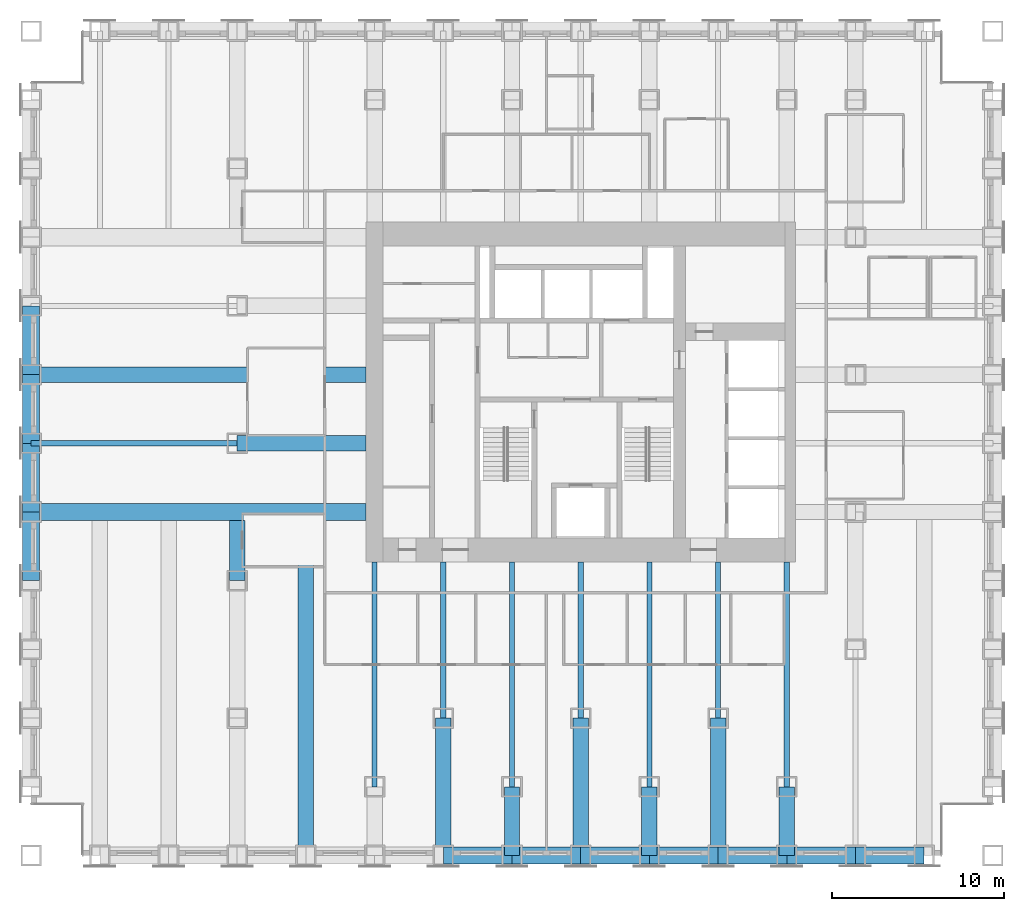
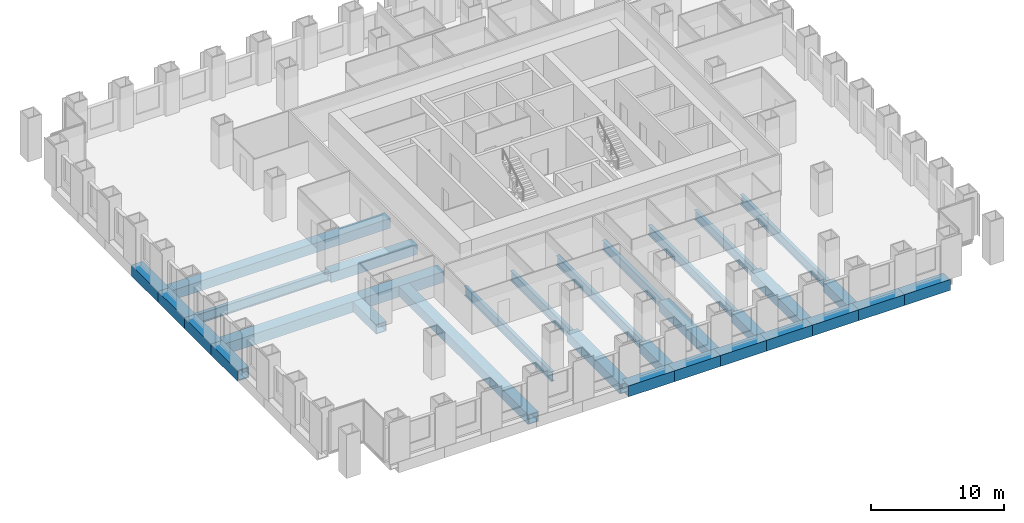
# One storey, part 3 of 14: 30 beams.
"""IFC4 building model written with IfcOpenShell, lengths in metres."""

from ifc_helpers import new_model, si_unit, direction, frame, origin, origin_2d, place, context, subcontext, project, spatial, hollow_rectangle, i_section, extrude, material, material_profile, profile_set, type_object, element, save


model = new_model("IFC4")

# Units and contexts
model_context = context("Model", 3, precision=1e-05, world=origin(), true_north=direction((0.0, 1.0)))
body_context = subcontext(model_context, "Body", "Model", "MODEL_VIEW")
ifc_project = project(units=[si_unit("LENGTHUNIT", "METRE"), si_unit("AREAUNIT", "SQUARE_METRE"), si_unit("VOLUMEUNIT", "CUBIC_METRE"), si_unit("PLANEANGLEUNIT", "RADIAN"), si_unit("MASSUNIT", "GRAM", prefix="KILO")], contexts=[model_context])

# Site, building, storey
site_placement = place(None, origin())
site = spatial("IfcSite", under=ifc_project, at=site_placement, CompositionType="ELEMENT")
building_placement = place(site_placement, origin())
building = spatial("IfcBuilding", under=site, at=building_placement, Name="Rimbunsela Tower", CompositionType="ELEMENT")
storey_placement = place(building_placement, frame((0.0, 0.0, 51.0)))
storey = spatial("IfcBuildingStorey", under=building, at=storey_placement, Name="L12", CompositionType="ELEMENT", Elevation=51.0)

# Beams
ifc_material_1 = material(Name="Steel BJ 55 (fy 410 MPa)", Category="steel")
ifc_material_profile_1 = material_profile(ifc_material_1, hollow_rectangle(XDim=1.0, YDim=1.0, WallThickness=0.10009765625, at=origin_2d()), Name="BOX 1000x1000x100")
ifc_profile_set_1 = profile_set([ifc_material_profile_1], Name="Steel BJ 55 (fy 410 MPa)")
beam_type_1 = type_object("IfcBeamType", Name="Beam BOX 1000x1000x100", PredefinedType="BEAM", material=ifc_profile_set_1)
for number, where, z_axis, x_axis, name in (
    (1, (-2.0, 16.0, -0.64990234375), (0.0, 1.0, 0.0), (-1.0, 0.0, 0.0), "Beam B3 L12"),
    (2, (-2.0, 20.0, -0.64990234375), (0.0, 1.0, 0.0), (-1.0, 0.0, 0.0), "Beam B3 L12"),
):
    element("IfcBeam", number, at=place(storey_placement, frame(where, z_axis=z_axis, x_axis=x_axis)), inside=storey, type_object=beam_type_1, Name=name, PredefinedType="BEAM", context=body_context, shape_type="SweptSolid", body=[
        extrude(hollow_rectangle(XDim=1.0, YDim=1.0, WallThickness=0.10009765625, at=origin_2d()), origin(), (0.0, 0.0, 1.0), 4.0),
    ])
beam_1_placement = place(storey_placement, frame((-2.0, 20.0, -0.64990234375), z_axis=(1.0, 0.0, 0.0), x_axis=(0.0, 1.0, 0.0)))
element("IfcBeam", 3, at=beam_1_placement, inside=storey, type_object=beam_type_1, Name="Beam B3 L12", PredefinedType="BEAM", context=body_context, shape_type="SweptSolid", body=[
    extrude(hollow_rectangle(XDim=1.0, YDim=1.0, WallThickness=0.10009765625, at=origin_2d()), origin(), (0.0, 0.0, 1.0), 19.5),
])
for number, where, z_axis, x_axis, name in (
    (4, (-2.0, 24.0, -0.64990234375), (0.0, 1.0, 0.0), (-1.0, 0.0, 0.0), "Beam B3 L12"),
    (5, (-2.0, 28.0, -0.64990234375), (0.0, 1.0, 0.0), (-1.0, 0.0, 0.0), "Beam B3 L12"),
    (6, (22.0, 0.0, -0.64990234375), (1.0, 0.0, 0.0), (0.0, 1.0, 0.0), "Beam B3 L12"),
    (7, (26.0, 0.0, -0.64990234375), (1.0, 0.0, 0.0), (0.0, 1.0, 0.0), "Beam B3 L12"),
    (8, (30.0, 0.0, -0.64990234375), (1.0, 0.0, 0.0), (0.0, 1.0, 0.0), "Beam B3 L12"),
    (9, (34.0, 0.0, -0.64990234375), (1.0, 0.0, 0.0), (0.0, 1.0, 0.0), "Beam B3 L12"),
    (10, (38.0, 0.0, -0.64990234375), (1.0, 0.0, 0.0), (0.0, 1.0, 0.0), "Beam B3 L12"),
    (11, (42.0, 0.0, -0.64990234375), (1.0, 0.0, 0.0), (0.0, 1.0, 0.0), "Beam B3 L12"),
    (12, (46.0, 0.0, -0.64990234375), (1.0, 0.0, 0.0), (0.0, 1.0, 0.0), "Beam B3 L12"),
):
    element("IfcBeam", number, at=place(storey_placement, frame(where, z_axis=z_axis, x_axis=x_axis)), inside=storey, type_object=beam_type_1, Name=name, PredefinedType="BEAM", context=body_context, shape_type="SweptSolid", body=[
        extrude(hollow_rectangle(XDim=1.0, YDim=1.0, WallThickness=0.10009765625, at=origin_2d()), origin(), (0.0, 0.0, 1.0), 4.0),
    ])
ifc_material_2 = material(Name="Steel BJ 55 (fy 410 MPa)", Category="steel")
ifc_material_profile_2 = material_profile(ifc_material_2, hollow_rectangle(XDim=0.89990234375, YDim=0.89990234375, WallThickness=0.06005859375, at=origin_2d()), Name="BOX 900x900x60")
ifc_profile_set_2 = profile_set([ifc_material_profile_2], Name="Steel BJ 55 (fy 410 MPa)")
beam_type_2 = type_object("IfcBeamType", Name="Beam BOX 900x900x60", PredefinedType="BEAM", material=ifc_profile_set_2)
beam_2_placement = place(storey_placement, frame((-2.0, 28.0, -0.60009765625), z_axis=(1.0, 0.0, 0.0), x_axis=(0.0, 1.0, 0.0)))
element("IfcBeam", 13, at=beam_2_placement, inside=storey, type_object=beam_type_2, Name="Beam B1 L12", PredefinedType="BEAM", context=body_context, shape_type="SweptSolid", body=[
    extrude(hollow_rectangle(XDim=0.89990234375, YDim=0.89990234375, WallThickness=0.06005859375, at=origin_2d()), origin(), (0.0, 0.0, 1.0), 19.5),
])
beam_3_placement = place(storey_placement, frame((10.0, 16.0, -0.60009765625), z_axis=(0.0, 1.0, 0.0), x_axis=(-1.0, 0.0, 0.0)))
element("IfcBeam", 14, at=beam_3_placement, inside=storey, type_object=beam_type_2, Name="Beam B1 L12", PredefinedType="BEAM", context=body_context, shape_type="SweptSolid", body=[
    extrude(hollow_rectangle(XDim=0.89990234375, YDim=0.89990234375, WallThickness=0.06005859375, at=origin_2d()), origin(), (0.0, 0.0, 1.0), 3.5),
])
beam_4_placement = place(storey_placement, frame((10.0, 24.0, -0.60009765625), z_axis=(1.0, 0.0, 0.0), x_axis=(0.0, 1.0, 0.0)))
element("IfcBeam", 15, at=beam_4_placement, inside=storey, type_object=beam_type_2, Name="Beam B1 L12", PredefinedType="BEAM", context=body_context, shape_type="SweptSolid", body=[
    extrude(hollow_rectangle(XDim=0.89990234375, YDim=0.89990234375, WallThickness=0.06005859375, at=origin_2d()), origin(), (0.0, 0.0, 1.0), 7.5),
])
beam_5_placement = place(storey_placement, frame((14.0, 0.0, -0.60009765625), z_axis=(0.0, 1.0, 0.0), x_axis=(-1.0, 0.0, 0.0)))
element("IfcBeam", 16, at=beam_5_placement, inside=storey, type_object=beam_type_2, Name="Beam B1 L12", PredefinedType="BEAM", context=body_context, shape_type="SweptSolid", body=[
    extrude(hollow_rectangle(XDim=0.89990234375, YDim=0.89990234375, WallThickness=0.06005859375, at=origin_2d()), origin(), (0.0, 0.0, 1.0), 19.5),
])
beam_6_placement = place(storey_placement, frame((22.0, 0.0, -0.60009765625), z_axis=(0.0, 1.0, 0.0), x_axis=(-1.0, 0.0, 0.0)))
element("IfcBeam", 17, at=beam_6_placement, inside=storey, type_object=beam_type_2, Name="Beam B1 L12", PredefinedType="BEAM", context=body_context, shape_type="SweptSolid", body=[
    extrude(hollow_rectangle(XDim=0.89990234375, YDim=0.89990234375, WallThickness=0.06005859375, at=origin_2d()), origin(), (0.0, 0.0, 1.0), 8.0),
])
beam_7_placement = place(storey_placement, frame((26.0, 0.0, -0.60009765625), z_axis=(0.0, 1.0, 0.0), x_axis=(-1.0, 0.0, 0.0)))
element("IfcBeam", 18, at=beam_7_placement, inside=storey, type_object=beam_type_2, Name="Beam B1 L12", PredefinedType="BEAM", context=body_context, shape_type="SweptSolid", body=[
    extrude(hollow_rectangle(XDim=0.89990234375, YDim=0.89990234375, WallThickness=0.06005859375, at=origin_2d()), origin(), (0.0, 0.0, 1.0), 4.0),
])
beam_8_placement = place(storey_placement, frame((30.0, 0.0, -0.60009765625), z_axis=(0.0, 1.0, 0.0), x_axis=(-1.0, 0.0, 0.0)))
element("IfcBeam", 19, at=beam_8_placement, inside=storey, type_object=beam_type_2, Name="Beam B1 L12", PredefinedType="BEAM", context=body_context, shape_type="SweptSolid", body=[
    extrude(hollow_rectangle(XDim=0.89990234375, YDim=0.89990234375, WallThickness=0.06005859375, at=origin_2d()), origin(), (0.0, 0.0, 1.0), 8.0),
])
beam_9_placement = place(storey_placement, frame((34.0, 0.0, -0.60009765625), z_axis=(0.0, 1.0, 0.0), x_axis=(-1.0, 0.0, 0.0)))
element("IfcBeam", 20, at=beam_9_placement, inside=storey, type_object=beam_type_2, Name="Beam B1 L12", PredefinedType="BEAM", context=body_context, shape_type="SweptSolid", body=[
    extrude(hollow_rectangle(XDim=0.89990234375, YDim=0.89990234375, WallThickness=0.06005859375, at=origin_2d()), origin(), (0.0, 0.0, 1.0), 4.0),
])
beam_10_placement = place(storey_placement, frame((38.0, 0.0, -0.60009765625), z_axis=(0.0, 1.0, 0.0), x_axis=(-1.0, 0.0, 0.0)))
element("IfcBeam", 21, at=beam_10_placement, inside=storey, type_object=beam_type_2, Name="Beam B1 L12", PredefinedType="BEAM", context=body_context, shape_type="SweptSolid", body=[
    extrude(hollow_rectangle(XDim=0.89990234375, YDim=0.89990234375, WallThickness=0.06005859375, at=origin_2d()), origin(), (0.0, 0.0, 1.0), 8.0),
])
beam_11_placement = place(storey_placement, frame((42.0, 0.0, -0.60009765625), z_axis=(0.0, 1.0, 0.0), x_axis=(-1.0, 0.0, 0.0)))
element("IfcBeam", 22, at=beam_11_placement, inside=storey, type_object=beam_type_2, Name="Beam B1 L12", PredefinedType="BEAM", context=body_context, shape_type="SweptSolid", body=[
    extrude(hollow_rectangle(XDim=0.89990234375, YDim=0.89990234375, WallThickness=0.06005859375, at=origin_2d()), origin(), (0.0, 0.0, 1.0), 4.0),
])
ifc_material_3 = material(Name="Steel BJ 55 (fy 410 MPa)", Category="steel")
ifc_material_profile_3 = material_profile(ifc_material_3, i_section(OverallWidth=0.300048828125, OverallDepth=0.89990234375, WebThickness=0.01611328125, FlangeThickness=0.028076171875, FilletRadius=0.028076171875, at=origin_2d()), Name="H 900x300x16x28")
ifc_profile_set_3 = profile_set([ifc_material_profile_3], Name="Steel BJ 55 (fy 410 MPa)")
beam_type_3 = type_object("IfcBeamType", Name="Beam H 900x300x16x28", PredefinedType="BEAM", material=ifc_profile_set_3)
beam_12_placement = place(storey_placement, frame((-2.0, 24.0, -0.60009765625), z_axis=(1.0, 0.0, 0.0), x_axis=(0.0, 1.0, 0.0)))
element("IfcBeam", 23, at=beam_12_placement, inside=storey, type_object=beam_type_3, Name="Beam B2 L12", PredefinedType="BEAM", context=body_context, shape_type="SweptSolid", body=[
    extrude(i_section(OverallWidth=0.300048828125, OverallDepth=0.89990234375, WebThickness=0.01611328125, FlangeThickness=0.028076171875, FilletRadius=0.028076171875, at=origin_2d()), origin(), (0.0, 0.0, 1.0), 12.0),
])
beam_13_placement = place(storey_placement, frame((18.0, 4.0, -0.60009765625), z_axis=(0.0, 1.0, 0.0), x_axis=(-1.0, 0.0, 0.0)))
element("IfcBeam", 24, at=beam_13_placement, inside=storey, type_object=beam_type_3, Name="Beam B2 L12", PredefinedType="BEAM", context=body_context, shape_type="SweptSolid", body=[
    extrude(i_section(OverallWidth=0.300048828125, OverallDepth=0.89990234375, WebThickness=0.01611328125, FlangeThickness=0.028076171875, FilletRadius=0.028076171875, at=origin_2d()), origin(), (0.0, 0.0, 1.0), 13.10009765625),
])
beam_14_placement = place(storey_placement, frame((22.0, 8.0, -0.60009765625), z_axis=(0.0, 1.0, 0.0), x_axis=(-1.0, 0.0, 0.0)))
element("IfcBeam", 25, at=beam_14_placement, inside=storey, type_object=beam_type_3, Name="Beam B2 L12", PredefinedType="BEAM", context=body_context, shape_type="SweptSolid", body=[
    extrude(i_section(OverallWidth=0.300048828125, OverallDepth=0.89990234375, WebThickness=0.01611328125, FlangeThickness=0.028076171875, FilletRadius=0.028076171875, at=origin_2d()), origin(), (0.0, 0.0, 1.0), 9.10009765625),
])
beam_15_placement = place(storey_placement, frame((26.0, 4.0, -0.60009765625), z_axis=(0.0, 1.0, 0.0), x_axis=(-1.0, 0.0, 0.0)))
element("IfcBeam", 26, at=beam_15_placement, inside=storey, type_object=beam_type_3, Name="Beam B2 L12", PredefinedType="BEAM", context=body_context, shape_type="SweptSolid", body=[
    extrude(i_section(OverallWidth=0.300048828125, OverallDepth=0.89990234375, WebThickness=0.01611328125, FlangeThickness=0.028076171875, FilletRadius=0.028076171875, at=origin_2d()), origin(), (0.0, 0.0, 1.0), 13.10009765625),
])
beam_16_placement = place(storey_placement, frame((30.0, 8.0, -0.60009765625), z_axis=(0.0, 1.0, 0.0), x_axis=(-1.0, 0.0, 0.0)))
element("IfcBeam", 27, at=beam_16_placement, inside=storey, type_object=beam_type_3, Name="Beam B2 L12", PredefinedType="BEAM", context=body_context, shape_type="SweptSolid", body=[
    extrude(i_section(OverallWidth=0.300048828125, OverallDepth=0.89990234375, WebThickness=0.01611328125, FlangeThickness=0.028076171875, FilletRadius=0.028076171875, at=origin_2d()), origin(), (0.0, 0.0, 1.0), 9.10009765625),
])
beam_17_placement = place(storey_placement, frame((34.0, 4.0, -0.60009765625), z_axis=(0.0, 1.0, 0.0), x_axis=(-1.0, 0.0, 0.0)))
element("IfcBeam", 28, at=beam_17_placement, inside=storey, type_object=beam_type_3, Name="Beam B2 L12", PredefinedType="BEAM", context=body_context, shape_type="SweptSolid", body=[
    extrude(i_section(OverallWidth=0.300048828125, OverallDepth=0.89990234375, WebThickness=0.01611328125, FlangeThickness=0.028076171875, FilletRadius=0.028076171875, at=origin_2d()), origin(), (0.0, 0.0, 1.0), 13.10009765625),
])
beam_18_placement = place(storey_placement, frame((38.0, 8.0, -0.60009765625), z_axis=(0.0, 1.0, 0.0), x_axis=(-1.0, 0.0, 0.0)))
element("IfcBeam", 29, at=beam_18_placement, inside=storey, type_object=beam_type_3, Name="Beam B2 L12", PredefinedType="BEAM", context=body_context, shape_type="SweptSolid", body=[
    extrude(i_section(OverallWidth=0.300048828125, OverallDepth=0.89990234375, WebThickness=0.01611328125, FlangeThickness=0.028076171875, FilletRadius=0.028076171875, at=origin_2d()), origin(), (0.0, 0.0, 1.0), 9.10009765625),
])
beam_19_placement = place(storey_placement, frame((42.0, 4.0, -0.60009765625), z_axis=(0.0, 1.0, 0.0), x_axis=(-1.0, 0.0, 0.0)))
element("IfcBeam", 30, at=beam_19_placement, inside=storey, type_object=beam_type_3, Name="Beam B2 L12", PredefinedType="BEAM", context=body_context, shape_type="SweptSolid", body=[
    extrude(i_section(OverallWidth=0.300048828125, OverallDepth=0.89990234375, WebThickness=0.01611328125, FlangeThickness=0.028076171875, FilletRadius=0.028076171875, at=origin_2d()), origin(), (0.0, 0.0, 1.0), 13.10009765625),
])

save(model, "model.ifc")
